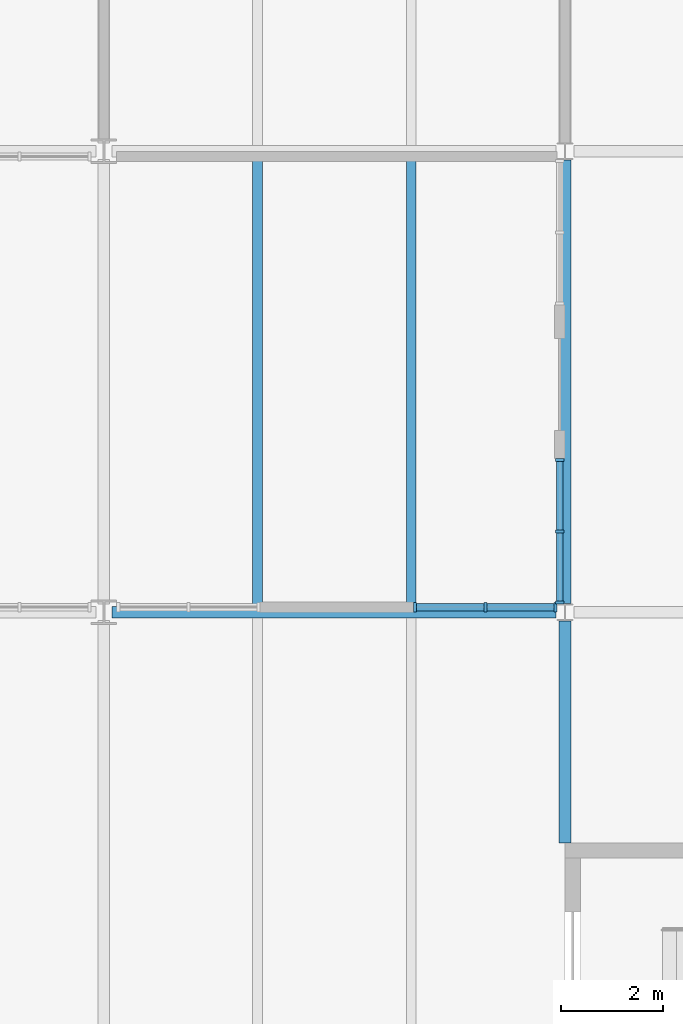
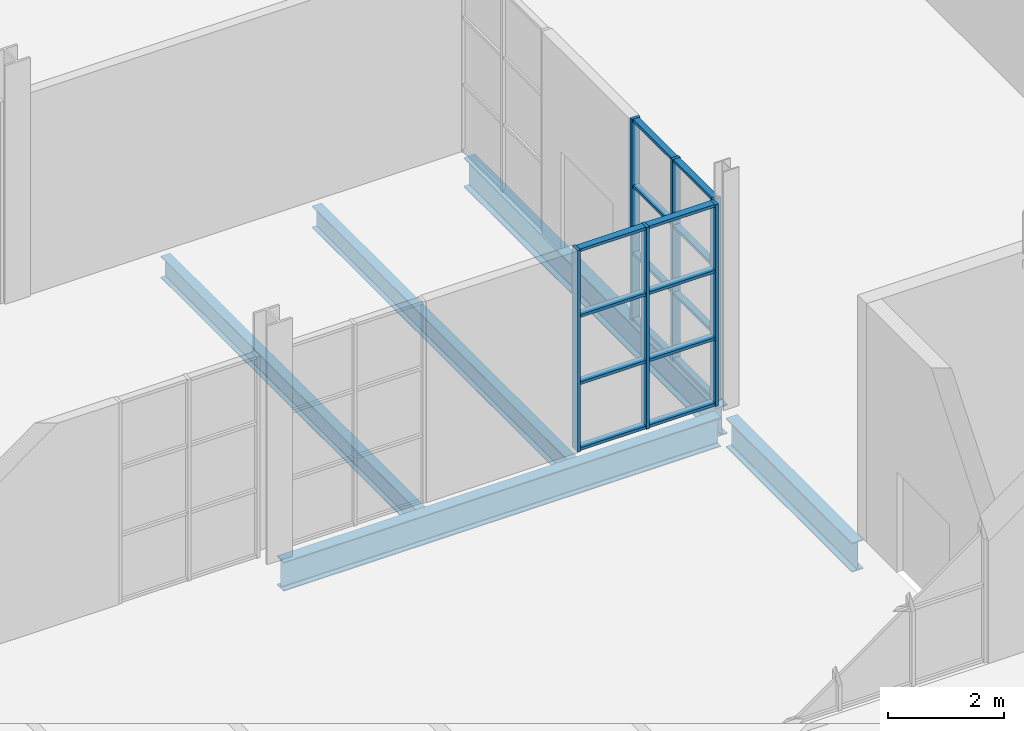
# One storey, part 16 of 63: 22 members, 5 beams, 2 elements without a shape of their own.
"""IFC4 building model written with IfcOpenShell, lengths in metres."""

from ifc_helpers import new_model, si_unit, direction, frame, origin, origin_2d, place, context, subcontext, project, spatial, rectangle, i_section, extrude, material, layer, layer_set, material_profile, profile_set, type_object, element, aggregate, save


model = new_model("IFC4")

# Units and contexts
model_context = context("Model", 3, precision=1e-05, world=origin(), true_north=direction((0.0, 1.0)))
body_context = subcontext(model_context, "Body", "Model", "MODEL_VIEW")
ifc_project = project(units=[si_unit("LENGTHUNIT", "METRE"), si_unit("AREAUNIT", "SQUARE_METRE"), si_unit("VOLUMEUNIT", "CUBIC_METRE"), si_unit("PLANEANGLEUNIT", "RADIAN"), si_unit("MASSUNIT", "GRAM", prefix="KILO")], contexts=[model_context])

# Site, building, storey
site_placement = place(None, origin())
site = spatial("IfcSite", under=ifc_project, at=site_placement, CompositionType="ELEMENT")
building_placement = place(site_placement, origin())
building = spatial("IfcBuilding", under=site, at=building_placement, Name="Halyard Row Museum", CompositionType="ELEMENT")
storey_placement = place(building_placement, origin())
storey = spatial("IfcBuildingStorey", under=building, at=storey_placement, Name="L00", CompositionType="ELEMENT", Elevation=0.0)

# Curtain wall, members
ifc_material_1 = material(Name="Double glazed unit, low-emissivity", Category="glass")
ifc_layer_1 = layer(ifc_material_1, 0.179931640625)
ifc_layer_set_1 = layer_set([ifc_layer_1], Name="Double glazed unit, low-emissivity")
curtain_wall_type_1 = type_object("IfcCurtainWallType", Name="Curtain wall stick 180 deep", PredefinedType="NOTDEFINED", material=ifc_layer_set_1)
curtain_wall_1_placement = place(storey_placement, origin())
curtain_wall_1 = element("IfcCurtainWall", 1, at=curtain_wall_1_placement, inside=storey, type_object=curtain_wall_type_1, Name="Curtain wall CW125", PredefinedType="NOTDEFINED")
ifc_material_2 = material(Name="Powder-coated aluminium section", Category="aluminium")
ifc_material_profile_1 = material_profile(ifc_material_2, rectangle(XDim=0.179931640625, YDim=0.06005859375, at=origin_2d()), Name="180x60 mullion")
ifc_profile_set_1 = profile_set([ifc_material_profile_1], Name="Powder-coated aluminium section")
member_type_1 = type_object("IfcMemberType", Name="Curtain wall mullion CM2 60 x 180", PredefinedType="MULLION", material=ifc_profile_set_1)
member_1_placement = place(storey_placement, frame((60.0771484375, 27.10009765625, 0.0), z_axis=(0.0, 0.0, 1.0), x_axis=(0.0, 1.0, 0.0)))
member_1 = element("IfcMember", 2, at=member_1_placement, type_object=member_type_1, Name="CW125 mullion 1", PredefinedType="MULLION", context=body_context, shape_type="SweptSolid", body=[
    extrude(rectangle(XDim=0.179931640625, YDim=0.06005859375, at=origin_2d()), origin(), (0.0, 0.0, 1.0), 4.22802734375),
])
member_2_placement = place(storey_placement, frame((61.44580078125, 27.10009765625, 0.0), z_axis=(0.0, 0.0, 1.0), x_axis=(0.0, 1.0, 0.0)))
member_2 = element("IfcMember", 3, at=member_2_placement, type_object=member_type_1, Name="CW125 mullion 2", PredefinedType="MULLION", context=body_context, shape_type="SweptSolid", body=[
    extrude(rectangle(XDim=0.179931640625, YDim=0.06005859375, at=origin_2d()), origin(), (0.0, 0.0, 1.0), 4.22802734375),
])
member_3_placement = place(storey_placement, frame((62.814453125, 27.10009765625, 0.0), z_axis=(0.0, 0.0, 1.0), x_axis=(0.0, 1.0, 0.0)))
member_3 = element("IfcMember", 4, at=member_3_placement, type_object=member_type_1, Name="CW125 mullion 3", PredefinedType="MULLION", context=body_context, shape_type="SweptSolid", body=[
    extrude(rectangle(XDim=0.179931640625, YDim=0.06005859375, at=origin_2d()), origin(), (0.0, 0.0, 1.0), 4.22802734375),
])

ifc_material_3 = material(Name="Fire-resisting laminated glazing", Category="glass")
ifc_layer_2 = layer(ifc_material_3, 0.159912109375)
ifc_layer_set_2 = layer_set([ifc_layer_2], Name="Fire-resisting laminated glazing")
curtain_wall_type_2 = type_object("IfcCurtainWallType", Name="Curtain wall atrium screen 160 deep", PredefinedType="NOTDEFINED", material=ifc_layer_set_2)
curtain_wall_2_placement = place(storey_placement, origin())
curtain_wall_2 = element("IfcCurtainWall", 5, at=curtain_wall_2_placement, inside=storey, type_object=curtain_wall_type_2, Name="Curtain wall CW128", PredefinedType="NOTDEFINED")
ifc_material_4 = material(Name="Powder-coated aluminium section", Category="aluminium")
ifc_material_profile_2 = material_profile(ifc_material_4, rectangle(XDim=0.159912109375, YDim=0.06005859375, at=origin_2d()), Name="160x60 mullion")
ifc_profile_set_2 = profile_set([ifc_material_profile_2], Name="Powder-coated aluminium section")
member_type_2 = type_object("IfcMemberType", Name="Curtain wall mullion CM5 60 x 160", PredefinedType="MULLION", material=ifc_profile_set_2)
member_4_placement = place(storey_placement, frame((62.89990234375, 27.193603515625, 0.0), z_axis=(0.0, 0.0, 1.0), x_axis=(-1.0, 0.0, 0.0)))
member_4 = element("IfcMember", 6, at=member_4_placement, type_object=member_type_2, Name="CW128 mullion 1", PredefinedType="MULLION", context=body_context, shape_type="SweptSolid", body=[
    extrude(rectangle(XDim=0.159912109375, YDim=0.06005859375, at=origin_2d()), origin(), (0.0, 0.0, 1.0), 4.22802734375),
])
member_5_placement = place(storey_placement, frame((62.89990234375, 28.581787109375, 0.0), z_axis=(0.0, 0.0, 1.0), x_axis=(-1.0, 0.0, 0.0)))
member_5 = element("IfcMember", 7, at=member_5_placement, type_object=member_type_2, Name="CW128 mullion 2", PredefinedType="MULLION", context=body_context, shape_type="SweptSolid", body=[
    extrude(rectangle(XDim=0.159912109375, YDim=0.06005859375, at=origin_2d()), origin(), (0.0, 0.0, 1.0), 4.22802734375),
])
member_6_placement = place(storey_placement, frame((62.89990234375, 29.969970703125, 0.0), z_axis=(0.0, 0.0, 1.0), x_axis=(-1.0, 0.0, 0.0)))
member_6 = element("IfcMember", 8, at=member_6_placement, type_object=member_type_2, Name="CW128 mullion 3", PredefinedType="MULLION", context=body_context, shape_type="SweptSolid", body=[
    extrude(rectangle(XDim=0.159912109375, YDim=0.06005859375, at=origin_2d()), origin(), (0.0, 0.0, 1.0), 4.22802734375),
])

# Member
ifc_material_5 = material(Name="Powder-coated aluminium section", Category="aluminium")
ifc_material_profile_3 = material_profile(ifc_material_5, rectangle(XDim=0.139892578125, YDim=0.06005859375, at=origin_2d()), Name="140x60 transom")
ifc_profile_set_3 = profile_set([ifc_material_profile_3], Name="Powder-coated aluminium section")
member_type_3 = type_object("IfcMemberType", Name="Curtain wall transom CT2 60 x 140", PredefinedType="USERDEFINED", material=ifc_profile_set_3)
member_7_placement = place(storey_placement, frame((60.107177734375, 27.10009765625, 0.030029296875), z_axis=(1.0, 0.0, 0.0), x_axis=(0.0, 1.0, 0.0)))
member_7 = element("IfcMember", 9, at=member_7_placement, type_object=member_type_3, Name="CW125 transom 1.1", ObjectType="TRANSOM", PredefinedType="USERDEFINED", context=body_context, shape_type="SweptSolid", body=[
    extrude(rectangle(XDim=0.139892578125, YDim=0.06005859375, at=origin_2d()), origin(), (0.0, 0.0, 1.0), 1.30859375),
])

member_8_placement = place(storey_placement, frame((60.107177734375, 27.10009765625, 1.409423828125), z_axis=(1.0, 0.0, 0.0), x_axis=(0.0, 1.0, 0.0)))
member_8 = element("IfcMember", 10, at=member_8_placement, type_object=member_type_3, Name="CW125 transom 1.2", ObjectType="TRANSOM", PredefinedType="USERDEFINED", context=body_context, shape_type="SweptSolid", body=[
    extrude(rectangle(XDim=0.139892578125, YDim=0.06005859375, at=origin_2d()), origin(), (0.0, 0.0, 1.0), 1.30859375),
])

member_9_placement = place(storey_placement, frame((60.107177734375, 27.10009765625, 2.818603515625), z_axis=(1.0, 0.0, 0.0), x_axis=(0.0, 1.0, 0.0)))
member_9 = element("IfcMember", 11, at=member_9_placement, type_object=member_type_3, Name="CW125 transom 1.3", ObjectType="TRANSOM", PredefinedType="USERDEFINED", context=body_context, shape_type="SweptSolid", body=[
    extrude(rectangle(XDim=0.139892578125, YDim=0.06005859375, at=origin_2d()), origin(), (0.0, 0.0, 1.0), 1.30859375),
])

member_10_placement = place(storey_placement, frame((60.107177734375, 27.10009765625, 4.197998046875), z_axis=(1.0, 0.0, 0.0), x_axis=(0.0, 1.0, 0.0)))
member_10 = element("IfcMember", 12, at=member_10_placement, type_object=member_type_3, Name="CW125 transom 1.4", ObjectType="TRANSOM", PredefinedType="USERDEFINED", context=body_context, shape_type="SweptSolid", body=[
    extrude(rectangle(XDim=0.139892578125, YDim=0.06005859375, at=origin_2d()), origin(), (0.0, 0.0, 1.0), 1.30859375),
])

member_11_placement = place(storey_placement, frame((61.475830078125, 27.10009765625, 0.030029296875), z_axis=(1.0, 0.0, 0.0), x_axis=(0.0, 1.0, 0.0)))
member_11 = element("IfcMember", 13, at=member_11_placement, type_object=member_type_3, Name="CW125 transom 2.1", ObjectType="TRANSOM", PredefinedType="USERDEFINED", context=body_context, shape_type="SweptSolid", body=[
    extrude(rectangle(XDim=0.139892578125, YDim=0.06005859375, at=origin_2d()), origin(), (0.0, 0.0, 1.0), 1.30859375),
])

member_12_placement = place(storey_placement, frame((61.475830078125, 27.10009765625, 1.409423828125), z_axis=(1.0, 0.0, 0.0), x_axis=(0.0, 1.0, 0.0)))
member_12 = element("IfcMember", 14, at=member_12_placement, type_object=member_type_3, Name="CW125 transom 2.2", ObjectType="TRANSOM", PredefinedType="USERDEFINED", context=body_context, shape_type="SweptSolid", body=[
    extrude(rectangle(XDim=0.139892578125, YDim=0.06005859375, at=origin_2d()), origin(), (0.0, 0.0, 1.0), 1.30859375),
])

member_13_placement = place(storey_placement, frame((61.475830078125, 27.10009765625, 2.818603515625), z_axis=(1.0, 0.0, 0.0), x_axis=(0.0, 1.0, 0.0)))
member_13 = element("IfcMember", 15, at=member_13_placement, type_object=member_type_3, Name="CW125 transom 2.3", ObjectType="TRANSOM", PredefinedType="USERDEFINED", context=body_context, shape_type="SweptSolid", body=[
    extrude(rectangle(XDim=0.139892578125, YDim=0.06005859375, at=origin_2d()), origin(), (0.0, 0.0, 1.0), 1.30859375),
])

member_14_placement = place(storey_placement, frame((61.475830078125, 27.10009765625, 4.197998046875), z_axis=(1.0, 0.0, 0.0), x_axis=(0.0, 1.0, 0.0)))
member_14 = element("IfcMember", 16, at=member_14_placement, type_object=member_type_3, Name="CW125 transom 2.4", ObjectType="TRANSOM", PredefinedType="USERDEFINED", context=body_context, shape_type="SweptSolid", body=[
    extrude(rectangle(XDim=0.139892578125, YDim=0.06005859375, at=origin_2d()), origin(), (0.0, 0.0, 1.0), 1.30859375),
])

aggregate(curtain_wall_1, [member_1, member_2, member_3, member_7, member_8, member_9, member_10, member_11, member_12, member_13, member_14])

ifc_material_6 = material(Name="Powder-coated aluminium section", Category="aluminium")
ifc_material_profile_4 = material_profile(ifc_material_6, rectangle(XDim=0.1201171875, YDim=0.06005859375, at=origin_2d()), Name="120x60 transom")
ifc_profile_set_4 = profile_set([ifc_material_profile_4], Name="Powder-coated aluminium section")
member_type_4 = type_object("IfcMemberType", Name="Curtain wall transom CT5 60 x 120", PredefinedType="USERDEFINED", material=ifc_profile_set_4)
member_15_placement = place(storey_placement, frame((62.89990234375, 27.2236328125, 0.030029296875), z_axis=(0.0, 1.0, 0.0), x_axis=(-1.0, 0.0, 0.0)))
member_15 = element("IfcMember", 17, at=member_15_placement, type_object=member_type_4, Name="CW128 transom 1.1", ObjectType="TRANSOM", PredefinedType="USERDEFINED", context=body_context, shape_type="SweptSolid", body=[
    extrude(rectangle(XDim=0.1201171875, YDim=0.06005859375, at=origin_2d()), origin(), (0.0, 0.0, 1.0), 1.328125),
])

member_16_placement = place(storey_placement, frame((62.89990234375, 27.2236328125, 1.409423828125), z_axis=(0.0, 1.0, 0.0), x_axis=(-1.0, 0.0, 0.0)))
member_16 = element("IfcMember", 18, at=member_16_placement, type_object=member_type_4, Name="CW128 transom 1.2", ObjectType="TRANSOM", PredefinedType="USERDEFINED", context=body_context, shape_type="SweptSolid", body=[
    extrude(rectangle(XDim=0.1201171875, YDim=0.06005859375, at=origin_2d()), origin(), (0.0, 0.0, 1.0), 1.328125),
])

member_17_placement = place(storey_placement, frame((62.89990234375, 27.2236328125, 2.818603515625), z_axis=(0.0, 1.0, 0.0), x_axis=(-1.0, 0.0, 0.0)))
member_17 = element("IfcMember", 19, at=member_17_placement, type_object=member_type_4, Name="CW128 transom 1.3", ObjectType="TRANSOM", PredefinedType="USERDEFINED", context=body_context, shape_type="SweptSolid", body=[
    extrude(rectangle(XDim=0.1201171875, YDim=0.06005859375, at=origin_2d()), origin(), (0.0, 0.0, 1.0), 1.328125),
])

member_18_placement = place(storey_placement, frame((62.89990234375, 27.2236328125, 4.197998046875), z_axis=(0.0, 1.0, 0.0), x_axis=(-1.0, 0.0, 0.0)))
member_18 = element("IfcMember", 20, at=member_18_placement, type_object=member_type_4, Name="CW128 transom 1.4", ObjectType="TRANSOM", PredefinedType="USERDEFINED", context=body_context, shape_type="SweptSolid", body=[
    extrude(rectangle(XDim=0.1201171875, YDim=0.06005859375, at=origin_2d()), origin(), (0.0, 0.0, 1.0), 1.328125),
])

member_19_placement = place(storey_placement, frame((62.89990234375, 28.61181640625, 0.030029296875), z_axis=(0.0, 1.0, 0.0), x_axis=(-1.0, 0.0, 0.0)))
member_19 = element("IfcMember", 21, at=member_19_placement, type_object=member_type_4, Name="CW128 transom 2.1", ObjectType="TRANSOM", PredefinedType="USERDEFINED", context=body_context, shape_type="SweptSolid", body=[
    extrude(rectangle(XDim=0.1201171875, YDim=0.06005859375, at=origin_2d()), origin(), (0.0, 0.0, 1.0), 1.328125),
])

member_20_placement = place(storey_placement, frame((62.89990234375, 28.61181640625, 1.409423828125), z_axis=(0.0, 1.0, 0.0), x_axis=(-1.0, 0.0, 0.0)))
member_20 = element("IfcMember", 22, at=member_20_placement, type_object=member_type_4, Name="CW128 transom 2.2", ObjectType="TRANSOM", PredefinedType="USERDEFINED", context=body_context, shape_type="SweptSolid", body=[
    extrude(rectangle(XDim=0.1201171875, YDim=0.06005859375, at=origin_2d()), origin(), (0.0, 0.0, 1.0), 1.328125),
])

member_21_placement = place(storey_placement, frame((62.89990234375, 28.61181640625, 2.818603515625), z_axis=(0.0, 1.0, 0.0), x_axis=(-1.0, 0.0, 0.0)))
member_21 = element("IfcMember", 23, at=member_21_placement, type_object=member_type_4, Name="CW128 transom 2.3", ObjectType="TRANSOM", PredefinedType="USERDEFINED", context=body_context, shape_type="SweptSolid", body=[
    extrude(rectangle(XDim=0.1201171875, YDim=0.06005859375, at=origin_2d()), origin(), (0.0, 0.0, 1.0), 1.328125),
])

member_22_placement = place(storey_placement, frame((62.89990234375, 28.61181640625, 4.197998046875), z_axis=(0.0, 1.0, 0.0), x_axis=(-1.0, 0.0, 0.0)))
member_22 = element("IfcMember", 24, at=member_22_placement, type_object=member_type_4, Name="CW128 transom 2.4", ObjectType="TRANSOM", PredefinedType="USERDEFINED", context=body_context, shape_type="SweptSolid", body=[
    extrude(rectangle(XDim=0.1201171875, YDim=0.06005859375, at=origin_2d()), origin(), (0.0, 0.0, 1.0), 1.328125),
])

aggregate(curtain_wall_2, [member_4, member_5, member_6, member_15, member_16, member_17, member_18, member_19, member_20, member_21, member_22])

# Beams
ifc_material_7 = material(Name="Steel Grade 300", Category="steel")
ifc_material_profile_5 = material_profile(ifc_material_7, i_section(OverallWidth=0.22900390625, OverallDepth=0.611572265625, WebThickness=0.011962890625, FlangeThickness=0.01953125, FilletRadius=0.013916015625, at=origin_2d()), Name="610UB125")
ifc_profile_set_5 = profile_set([ifc_material_profile_5], Name="Steel Grade 300")
beam_type_1 = type_object("IfcBeamType", Name="Girder beam 610UB125", PredefinedType="BEAM", material=ifc_profile_set_5)
beam_1_placement = place(storey_placement, frame((54.154541015625, 27.0, -0.470703125), z_axis=(1.0, 0.0, 0.0), x_axis=(0.0, 1.0, 0.0)))
element("IfcBeam", 25, at=beam_1_placement, inside=storey, type_object=beam_type_1, Name="Beam L00-018", PredefinedType="BEAM", context=body_context, shape_type="SweptSolid", body=[
    extrude(i_section(OverallWidth=0.22900390625, OverallDepth=0.611572265625, WebThickness=0.011962890625, FlangeThickness=0.01953125, FilletRadius=0.013916015625, at=origin_2d()), origin(), (0.0, 0.0, 1.0), 8.67041015625),
])
beam_2_placement = place(storey_placement, frame((63.0, 22.5, -0.470703125), z_axis=(0.0, 1.0, 0.0), x_axis=(-1.0, 0.0, 0.0)))
element("IfcBeam", 26, at=beam_2_placement, inside=storey, type_object=beam_type_1, Name="Beam L00-056", PredefinedType="BEAM", context=body_context, shape_type="SweptSolid", body=[
    extrude(i_section(OverallWidth=0.22900390625, OverallDepth=0.611572265625, WebThickness=0.011962890625, FlangeThickness=0.01953125, FilletRadius=0.013916015625, at=origin_2d()), origin(), (0.0, 0.0, 1.0), 4.33056640625),
])
beam_3_placement = place(storey_placement, frame((63.0, 27.16943359375, -0.470703125), z_axis=(0.0, 1.0, 0.0), x_axis=(-1.0, 0.0, 0.0)))
element("IfcBeam", 27, at=beam_3_placement, inside=storey, type_object=beam_type_1, Name="Beam L00-057", PredefinedType="BEAM", context=body_context, shape_type="SweptSolid", body=[
    extrude(i_section(OverallWidth=0.22900390625, OverallDepth=0.611572265625, WebThickness=0.011962890625, FlangeThickness=0.01953125, FilletRadius=0.013916015625, at=origin_2d()), origin(), (0.0, 0.0, 1.0), 8.6611328125),
])
ifc_material_8 = material(Name="Steel Grade 300", Category="steel")
ifc_material_profile_6 = material_profile(ifc_material_8, i_section(OverallWidth=0.18994140625, OverallDepth=0.453857421875, WebThickness=0.008544921875, FlangeThickness=0.0126953125, FilletRadius=0.011474609375, at=origin_2d()), Name="460UB67.1")
ifc_profile_set_6 = profile_set([ifc_material_profile_6], Name="Steel Grade 300")
beam_type_2 = type_object("IfcBeamType", Name="Secondary beam 460UB67.1", PredefinedType="BEAM", material=ifc_profile_set_6)
for number, where, z_axis, x_axis, name in (
    (28, (57.0, 27.114501953125, -0.391845703125), (0.0, 1.0, 0.0), (-1.0, 0.0, 0.0), "Beam L00-131"),
    (29, (60.0, 27.114501953125, -0.391845703125), (0.0, 1.0, 0.0), (-1.0, 0.0, 0.0), "Beam L00-132"),
):
    element("IfcBeam", number, at=place(storey_placement, frame(where, z_axis=z_axis, x_axis=x_axis)), inside=storey, type_object=beam_type_2, Name=name, PredefinedType="BEAM", context=body_context, shape_type="SweptSolid", body=[
        extrude(i_section(OverallWidth=0.18994140625, OverallDepth=0.453857421875, WebThickness=0.008544921875, FlangeThickness=0.0126953125, FilletRadius=0.011474609375, at=origin_2d()), origin(), (0.0, 0.0, 1.0), 8.77099609375),
    ])

save(model, "model.ifc")
